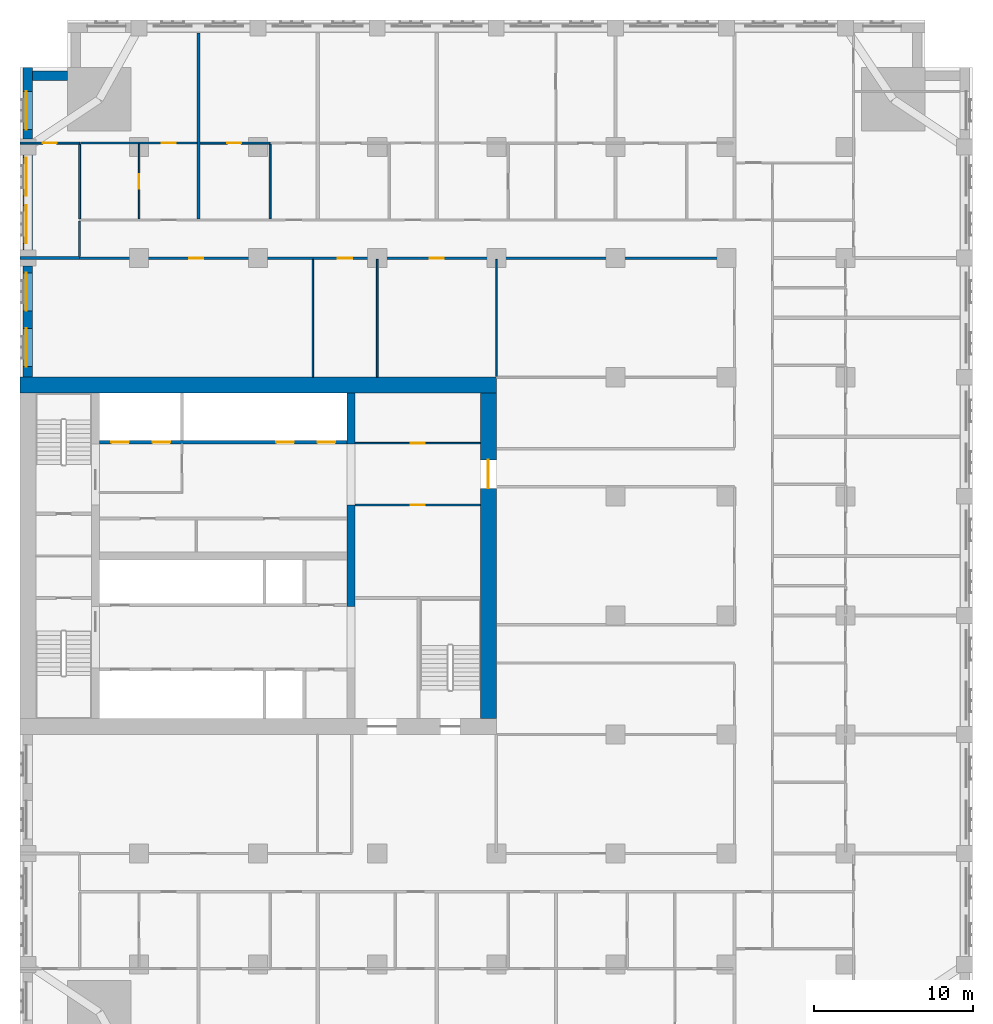
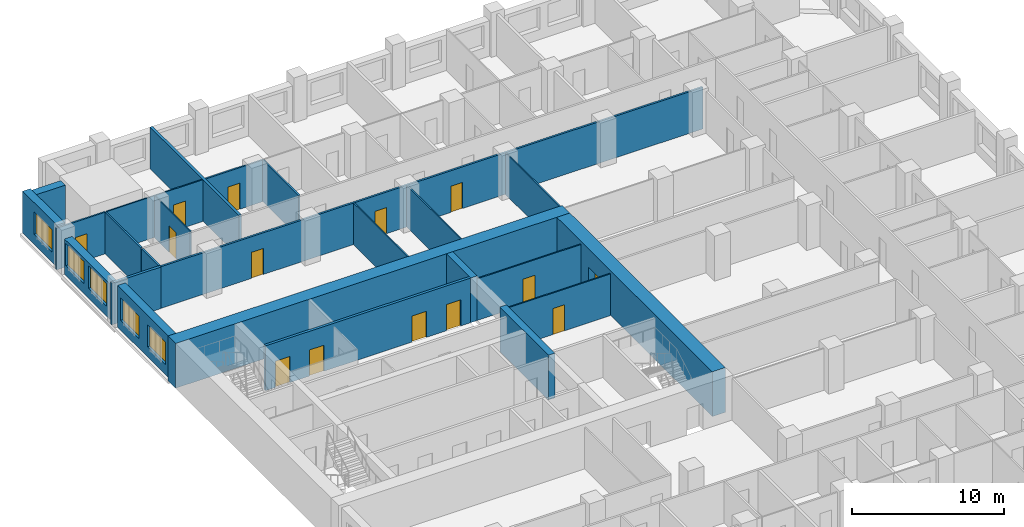
# One storey, part 8 of 14: 24 walls, 14 doors, 5 windows, 19 openings.
"""IFC4 building model written with IfcOpenShell, lengths in metres."""

from ifc_helpers import new_model, si_unit, direction, frame, frame_2d, origin, place, context, subcontext, project, spatial, rectangle, extrude, material, layer, layer_set, type_object, element, fill, save


model = new_model("IFC4")

# Units and contexts
model_context = context("Model", 3, precision=1e-05, world=origin(), true_north=direction((0.0, 1.0)))
body_context = subcontext(model_context, "Body", "Model", "MODEL_VIEW")
ifc_project = project(units=[si_unit("LENGTHUNIT", "METRE"), si_unit("AREAUNIT", "SQUARE_METRE"), si_unit("VOLUMEUNIT", "CUBIC_METRE"), si_unit("PLANEANGLEUNIT", "RADIAN"), si_unit("MASSUNIT", "GRAM", prefix="KILO")], contexts=[model_context])

# Site, building, storey
site_placement = place(None, origin())
site = spatial("IfcSite", under=ifc_project, at=site_placement, CompositionType="ELEMENT")
building_placement = place(site_placement, origin())
building = spatial("IfcBuilding", under=site, at=building_placement, Name="Tamorin Gate", CompositionType="ELEMENT")
storey_placement = place(building_placement, frame((0.0, 0.0, 37.60009765625)))
storey = spatial("IfcBuildingStorey", under=building, at=storey_placement, Name="L07", CompositionType="ELEMENT", Elevation=37.60009765625)

# Wall
ifc_material_1 = material(Name="Precast concrete C40/50", Category="concrete")
ifc_layer_1 = layer(ifc_material_1, 0.60009765625)
ifc_layer_set_1 = layer_set([ifc_layer_1], Name="Precast concrete C40/50")
wall_type_1 = type_object("IfcWallType", Name="Board-marked concrete facade panel 600", PredefinedType="SOLIDWALL", material=ifc_layer_set_1)
wall_1_placement = place(storey_placement, frame((33.0, 101.5, 0.0), z_axis=(0.0, 0.0, 1.0), x_axis=(-1.0, 0.0, 0.0)))
element("IfcWall", 1, at=wall_1_placement, inside=storey, type_object=wall_type_1, Name="Facade panel", PredefinedType="SOLIDWALL", context=body_context, shape_type="SweptSolid", body=[
    extrude(rectangle(XDim=2.199951171875, YDim=0.60009765625, at=frame_2d((1.10009765625, 0.0))), origin(), (0.0, 0.0, 1.0), 3.349853515625),
])

# Wall, opening, window
wall_2_placement = place(storey_placement, frame((30.5, 102.0, 0.0), z_axis=(0.0, 0.0, 1.0), x_axis=(0.0, -1.0, 0.0)))
wall_2 = element("IfcWall", 2, at=wall_2_placement, inside=storey, type_object=wall_type_1, Name="Facade panel", PredefinedType="SOLIDWALL", context=body_context, shape_type="SweptSolid", body=[
    extrude(rectangle(XDim=4.5, YDim=0.60009765625, at=frame_2d((2.25, 0.0))), origin(), (0.0, 0.0, 1.0), 3.349853515625),
])
opening_1_placement = place(wall_2_placement, frame((1.5, 0.0, 0.800048828125)))
opening_1 = element("IfcOpeningElement", 3, at=opening_1_placement, cuts=wall_2, Name="Opening WN1", PredefinedType="OPENING", context=body_context, shape_type="SweptSolid", body=[
    extrude(rectangle(XDim=2.39990234375, YDim=1.800048828125, at=frame_2d((1.199951171875, 0.89990234375))), frame((0.0, 0.31005859375, 0.0), z_axis=(0.0, -1.0, 0.0), x_axis=(1.0, 0.0, 0.0)), (0.0, 0.0, 1.0), 0.6201171875),
])
ifc_material_2 = material(Name="Clear glass in aluminium frame", Category="aluminium")
window_type = type_object("IfcWindowType", Name="Deep-set window 2400x1800", PartitioningType="SINGLE_PANEL", PredefinedType="WINDOW", material=ifc_material_2)
window_1_placement = place(opening_1_placement, origin())
window_1 = element("IfcWindow", 4, at=window_1_placement, inside=storey, type_object=window_type, Name="Deep-set window", OverallHeight=1.800048828125, OverallWidth=2.39990234375, PartitioningType="SINGLE_PANEL", PredefinedType="WINDOW", context=body_context, shape_type="SweptSolid", body=[
    extrude(rectangle(XDim=2.39990234375, YDim=1.800048828125, at=frame_2d((1.199951171875, 0.89990234375))), frame((0.0, -0.070068359375, 0.0), z_axis=(0.0, -1.0, 0.0), x_axis=(1.0, 0.0, 0.0)), (0.0, 0.0, 1.0), 0.06005859375),
])
fill(opening_1, window_1)

# Wall, openings, windows
wall_3_placement = place(storey_placement, frame((30.5, 96.5, 0.0), z_axis=(0.0, 0.0, 1.0), x_axis=(0.0, -1.0, 0.0)))
wall_3 = element("IfcWall", 5, at=wall_3_placement, inside=storey, type_object=wall_type_1, Name="Facade panel", PredefinedType="SOLIDWALL", context=body_context, shape_type="SweptSolid", body=[
    extrude(rectangle(XDim=6.0, YDim=0.60009765625, at=frame_2d((3.0, 0.0))), origin(), (0.0, 0.0, 1.0), 2.849853515625),
])
opening_2_placement = place(wall_3_placement, frame((3.175048828125, 0.0, 0.800048828125)))
opening_2 = element("IfcOpeningElement", 6, at=opening_2_placement, cuts=wall_3, Name="Opening WN1", PredefinedType="OPENING", context=body_context, shape_type="SweptSolid", body=[
    extrude(rectangle(XDim=2.39990234375, YDim=1.800048828125, at=frame_2d((1.199951171875, 0.89990234375))), frame((0.0, 0.31005859375, 0.0), z_axis=(0.0, -1.0, 0.0), x_axis=(1.0, 0.0, 0.0)), (0.0, 0.0, 1.0), 0.6201171875),
])
opening_3_placement = place(wall_3_placement, frame((0.175048828125, 0.0, 0.800048828125)))
opening_3 = element("IfcOpeningElement", 7, at=opening_3_placement, cuts=wall_3, Name="Opening WN1", PredefinedType="OPENING", context=body_context, shape_type="SweptSolid", body=[
    extrude(rectangle(XDim=2.39990234375, YDim=1.800048828125, at=frame_2d((1.199951171875, 0.89990234375))), frame((0.0, 0.31005859375, 0.0), z_axis=(0.0, -1.0, 0.0), x_axis=(1.0, 0.0, 0.0)), (0.0, 0.0, 1.0), 0.6201171875),
])
window_2_placement = place(opening_2_placement, origin())
window_2 = element("IfcWindow", 8, at=window_2_placement, inside=storey, type_object=window_type, Name="Deep-set window", OverallHeight=1.800048828125, OverallWidth=2.39990234375, PartitioningType="SINGLE_PANEL", PredefinedType="WINDOW", context=body_context, shape_type="SweptSolid", body=[
    extrude(rectangle(XDim=2.39990234375, YDim=1.800048828125, at=frame_2d((1.199951171875, 0.89990234375))), frame((0.0, -0.070068359375, 0.0), z_axis=(0.0, -1.0, 0.0), x_axis=(1.0, 0.0, 0.0)), (0.0, 0.0, 1.0), 0.06005859375),
])
fill(opening_2, window_2)
window_3_placement = place(opening_3_placement, origin())
window_3 = element("IfcWindow", 9, at=window_3_placement, inside=storey, type_object=window_type, Name="Deep-set window", OverallHeight=1.800048828125, OverallWidth=2.39990234375, PartitioningType="SINGLE_PANEL", PredefinedType="WINDOW", context=body_context, shape_type="SweptSolid", body=[
    extrude(rectangle(XDim=2.39990234375, YDim=1.800048828125, at=frame_2d((1.199951171875, 0.89990234375))), frame((0.0, -0.070068359375, 0.0), z_axis=(0.0, -1.0, 0.0), x_axis=(1.0, 0.0, 0.0)), (0.0, 0.0, 1.0), 0.06005859375),
])
fill(opening_3, window_3)

wall_4_placement = place(storey_placement, frame((30.5, 89.5, 0.0), z_axis=(0.0, 0.0, 1.0), x_axis=(0.0, -1.0, 0.0)))
wall_4 = element("IfcWall", 10, at=wall_4_placement, inside=storey, type_object=wall_type_1, Name="Facade panel", PredefinedType="SOLIDWALL", context=body_context, shape_type="SweptSolid", body=[
    extrude(rectangle(XDim=7.0, YDim=0.60009765625, at=frame_2d((3.5, 0.0))), origin(), (0.0, 0.0, 1.0), 3.349853515625),
])
opening_4_placement = place(wall_4_placement, frame((3.925048828125, 0.0, 0.800048828125)))
opening_4 = element("IfcOpeningElement", 11, at=opening_4_placement, cuts=wall_4, Name="Opening WN1", PredefinedType="OPENING", context=body_context, shape_type="SweptSolid", body=[
    extrude(rectangle(XDim=2.39990234375, YDim=1.800048828125, at=frame_2d((1.199951171875, 0.89990234375))), frame((0.0, 0.31005859375, 0.0), z_axis=(0.0, -1.0, 0.0), x_axis=(1.0, 0.0, 0.0)), (0.0, 0.0, 1.0), 0.6201171875),
])
opening_5_placement = place(wall_4_placement, frame((0.425048828125, 0.0, 0.800048828125)))
opening_5 = element("IfcOpeningElement", 12, at=opening_5_placement, cuts=wall_4, Name="Opening WN1", PredefinedType="OPENING", context=body_context, shape_type="SweptSolid", body=[
    extrude(rectangle(XDim=2.39990234375, YDim=1.800048828125, at=frame_2d((1.199951171875, 0.89990234375))), frame((0.0, 0.31005859375, 0.0), z_axis=(0.0, -1.0, 0.0), x_axis=(1.0, 0.0, 0.0)), (0.0, 0.0, 1.0), 0.6201171875),
])
window_4_placement = place(opening_4_placement, origin())
window_4 = element("IfcWindow", 13, at=window_4_placement, inside=storey, type_object=window_type, Name="Deep-set window", OverallHeight=1.800048828125, OverallWidth=2.39990234375, PartitioningType="SINGLE_PANEL", PredefinedType="WINDOW", context=body_context, shape_type="SweptSolid", body=[
    extrude(rectangle(XDim=2.39990234375, YDim=1.800048828125, at=frame_2d((1.199951171875, 0.89990234375))), frame((0.0, -0.070068359375, 0.0), z_axis=(0.0, -1.0, 0.0), x_axis=(1.0, 0.0, 0.0)), (0.0, 0.0, 1.0), 0.06005859375),
])
fill(opening_4, window_4)
window_5_placement = place(opening_5_placement, origin())
window_5 = element("IfcWindow", 14, at=window_5_placement, inside=storey, type_object=window_type, Name="Deep-set window", OverallHeight=1.800048828125, OverallWidth=2.39990234375, PartitioningType="SINGLE_PANEL", PredefinedType="WINDOW", context=body_context, shape_type="SweptSolid", body=[
    extrude(rectangle(XDim=2.39990234375, YDim=1.800048828125, at=frame_2d((1.199951171875, 0.89990234375))), frame((0.0, -0.070068359375, 0.0), z_axis=(0.0, -1.0, 0.0), x_axis=(1.0, 0.0, 0.0)), (0.0, 0.0, 1.0), 0.06005859375),
])
fill(opening_5, window_5)

# Wall, openings, doors
ifc_material_3 = material(Name="Gypsum board partition")
ifc_layer_2 = layer(ifc_material_3, 0.14990234375)
ifc_layer_set_2 = layer_set([ifc_layer_2], Name="Corridor wall 150")
wall_type_2 = type_object("IfcWallType", Name="Corridor wall 150", PredefinedType="PARTITIONING", material=ifc_layer_set_2)
wall_5_placement = place(storey_placement, frame((33.75, 90.0, 0.0), z_axis=(0.0, 0.0, 1.0), x_axis=(1.0, 0.0, 0.0)))
wall_5 = element("IfcWall", 15, at=wall_5_placement, inside=storey, type_object=wall_type_2, Name="Corridor wall 150", PredefinedType="PARTITIONING", context=body_context, shape_type="SweptSolid", body=[
    extrude(rectangle(XDim=41.25, YDim=0.14990234375, at=frame_2d((20.625, 0.0))), origin(), (0.0, 0.0, 1.0), 3.349853515625),
])
opening_6_placement = place(wall_5_placement, frame((6.89990234375, 0.0, 0.0)))
opening_6 = element("IfcOpeningElement", 16, at=opening_6_placement, cuts=wall_5, Name="Opening DH2070", PredefinedType="OPENING", context=body_context, shape_type="SweptSolid", body=[
    extrude(rectangle(XDim=0.89990234375, YDim=2.10009765625, at=frame_2d((0.449951171875, 1.050048828125))), frame((0.0, 0.0849609375, 0.0), z_axis=(0.0, -1.0, 0.0), x_axis=(1.0, 0.0, 0.0)), (0.0, 0.0, 1.0), 0.169921875),
])
opening_7_placement = place(wall_5_placement, frame((16.27490234375, 0.0, 0.0)))
opening_7 = element("IfcOpeningElement", 17, at=opening_7_placement, cuts=wall_5, Name="Opening DH2071", PredefinedType="OPENING", context=body_context, shape_type="SweptSolid", body=[
    extrude(rectangle(XDim=0.89990234375, YDim=2.10009765625, at=frame_2d((0.449951171875, 1.050048828125))), frame((0.0, 0.0849609375, 0.0), z_axis=(0.0, -1.0, 0.0), x_axis=(1.0, 0.0, 0.0)), (0.0, 0.0, 1.0), 0.169921875),
])
opening_8_placement = place(wall_5_placement, frame((22.050048828125, 0.0, 0.0)))
opening_8 = element("IfcOpeningElement", 18, at=opening_8_placement, cuts=wall_5, Name="Opening DH2072", PredefinedType="OPENING", context=body_context, shape_type="SweptSolid", body=[
    extrude(rectangle(XDim=0.89990234375, YDim=2.10009765625, at=frame_2d((0.449951171875, 1.050048828125))), frame((0.0, 0.0849609375, 0.0), z_axis=(0.0, -1.0, 0.0), x_axis=(1.0, 0.0, 0.0)), (0.0, 0.0, 1.0), 0.169921875),
])
ifc_material_4 = material(Name="Timber door leaf", Category="wood")
door_type_1 = type_object("IfcDoorType", Name="Door 900 x 2100 FD30S", OperationType="NOTDEFINED", PredefinedType="DOOR", material=ifc_material_4)
door_1_placement = place(opening_6_placement, origin())
door_1 = element("IfcDoor", 19, at=door_1_placement, inside=storey, type_object=door_type_1, Name="Door DH2070", OperationType="SINGLE_SWING_RIGHT", OverallHeight=2.10009765625, OverallWidth=0.89990234375, PredefinedType="DOOR", context=body_context, shape_type="SweptSolid", body=[
    extrude(rectangle(XDim=0.89990234375, YDim=2.10009765625, at=frame_2d((0.449951171875, 1.050048828125))), frame((0.0, 0.02490234375, 0.0), z_axis=(0.0, -1.0, 0.0), x_axis=(1.0, 0.0, 0.0)), (0.0, 0.0, 1.0), 0.050048828125),
])
fill(opening_6, door_1)
door_2_placement = place(opening_7_placement, origin())
door_2 = element("IfcDoor", 20, at=door_2_placement, inside=storey, type_object=door_type_1, Name="Door DH2071", OperationType="SINGLE_SWING_LEFT", OverallHeight=2.10009765625, OverallWidth=0.89990234375, PredefinedType="DOOR", context=body_context, shape_type="SweptSolid", body=[
    extrude(rectangle(XDim=0.89990234375, YDim=2.10009765625, at=frame_2d((0.449951171875, 1.050048828125))), frame((0.0, 0.02490234375, 0.0), z_axis=(0.0, -1.0, 0.0), x_axis=(1.0, 0.0, 0.0)), (0.0, 0.0, 1.0), 0.050048828125),
])
fill(opening_7, door_2)
door_3_placement = place(opening_8_placement, origin())
door_3 = element("IfcDoor", 21, at=door_3_placement, inside=storey, type_object=door_type_1, Name="Door DH2072", OperationType="SINGLE_SWING_RIGHT", OverallHeight=2.10009765625, OverallWidth=0.89990234375, PredefinedType="DOOR", context=body_context, shape_type="SweptSolid", body=[
    extrude(rectangle(XDim=0.89990234375, YDim=2.10009765625, at=frame_2d((0.449951171875, 1.050048828125))), frame((0.0, 0.02490234375, 0.0), z_axis=(0.0, -1.0, 0.0), x_axis=(1.0, 0.0, 0.0)), (0.0, 0.0, 1.0), 0.050048828125),
])
fill(opening_8, door_3)

# Walls
wall_6_placement = place(storey_placement, frame((33.75, 90.10009765625, 0.0), z_axis=(0.0, 0.0, 1.0), x_axis=(0.0, 1.0, 0.0)))
element("IfcWall", 22, at=wall_6_placement, inside=storey, type_object=wall_type_2, Name="Corridor wall 150", PredefinedType="PARTITIONING", context=body_context, shape_type="SweptSolid", body=[
    extrude(rectangle(XDim=2.224853515625, YDim=0.14990234375, at=frame_2d((1.1123046875, 0.0))), origin(), (0.0, 0.0, 1.0), 3.349853515625),
])
ifc_layer_3 = layer(ifc_material_3, 0.199951171875)
ifc_layer_set_3 = layer_set([ifc_layer_3], Name="Demising wall 200")
wall_type_3 = type_object("IfcWallType", Name="Demising wall 200", PredefinedType="PARTITIONING", material=ifc_layer_set_3)
wall_7_placement = place(storey_placement, frame((30.0, 90.0, 0.0), z_axis=(0.0, 0.0, 1.0), x_axis=(1.0, 0.0, 0.0)))
element("IfcWall", 23, at=wall_7_placement, inside=storey, type_object=wall_type_3, Name="Demising wall 200", PredefinedType="PARTITIONING", context=body_context, shape_type="SweptSolid", body=[
    extrude(rectangle(XDim=3.75, YDim=0.199951171875, at=frame_2d((1.875, 0.0))), origin(), (0.0, 0.0, 1.0), 3.349853515625),
])
wall_8_placement = place(storey_placement, frame((41.25, 92.47509765625, 0.0), z_axis=(0.0, 0.0, 1.0), x_axis=(0.0, 1.0, 0.0)))
element("IfcWall", 24, at=wall_8_placement, inside=storey, type_object=wall_type_3, Name="Demising wall 200", PredefinedType="PARTITIONING", context=body_context, shape_type="SweptSolid", body=[
    extrude(rectangle(XDim=11.71484375, YDim=0.199951171875, at=frame_2d((5.857421875, 0.0))), origin(), (0.0, 0.0, 1.0), 3.349853515625),
])

# Wall, openings, doors
ifc_material_5 = material(Name="Concrete C32/40", Category="concrete")
ifc_layer_4 = layer(ifc_material_5, 0.199951171875)
ifc_layer_set_4 = layer_set([ifc_layer_4], Name="Lift lobby face wall 200 EI 120")
wall_type_4 = type_object("IfcWallType", Name="Lift lobby face wall 200 EI 120", PredefinedType="SOLIDWALL", material=ifc_layer_set_4)
wall_9_placement = place(storey_placement, frame((35.0, 78.39990234375, 0.0), z_axis=(0.0, 0.0, 1.0), x_axis=(1.0, 0.0, 0.0)))
wall_9 = element("IfcWall", 25, at=wall_9_placement, inside=storey, type_object=wall_type_4, Name="Lift lobby face wall", PredefinedType="SOLIDWALL", context=body_context, shape_type="SweptSolid", body=[
    extrude(rectangle(XDim=15.60009765625, YDim=0.199951171875, at=frame_2d((7.800048828125, 0.0))), origin(), (0.0, 0.0, 1.0), 3.599853515625),
])
opening_9_placement = place(wall_9_placement, frame((0.75, 0.0, 0.0)))
opening_9 = element("IfcOpeningElement", 26, at=opening_9_placement, cuts=wall_9, Name="Opening LD17", PredefinedType="OPENING", context=body_context, shape_type="SweptSolid", body=[
    extrude(rectangle(XDim=1.10009765625, YDim=2.10009765625, at=frame_2d((0.550048828125, 1.050048828125))), frame((0.0, 0.10986328125, 0.0), z_axis=(0.0, -1.0, 0.0), x_axis=(1.0, 0.0, 0.0)), (0.0, 0.0, 1.0), 0.219970703125),
])
opening_10_placement = place(wall_9_placement, frame((3.35009765625, 0.0, 0.0)))
opening_10 = element("IfcOpeningElement", 27, at=opening_10_placement, cuts=wall_9, Name="Opening LD18", PredefinedType="OPENING", context=body_context, shape_type="SweptSolid", body=[
    extrude(rectangle(XDim=1.10009765625, YDim=2.10009765625, at=frame_2d((0.550048828125, 1.050048828125))), frame((0.0, 0.10986328125, 0.0), z_axis=(0.0, -1.0, 0.0), x_axis=(1.0, 0.0, 0.0)), (0.0, 0.0, 1.0), 0.219970703125),
])
opening_11_placement = place(wall_9_placement, frame((11.14990234375, 0.0, 0.0)))
opening_11 = element("IfcOpeningElement", 28, at=opening_11_placement, cuts=wall_9, Name="Opening LD21", PredefinedType="OPENING", context=body_context, shape_type="SweptSolid", body=[
    extrude(rectangle(XDim=1.10009765625, YDim=2.10009765625, at=frame_2d((0.550048828125, 1.050048828125))), frame((0.0, 0.10986328125, 0.0), z_axis=(0.0, -1.0, 0.0), x_axis=(1.0, 0.0, 0.0)), (0.0, 0.0, 1.0), 0.219970703125),
])
opening_12_placement = place(wall_9_placement, frame((13.75, 0.0, 0.0)))
opening_12 = element("IfcOpeningElement", 29, at=opening_12_placement, cuts=wall_9, Name="Opening LD22", PredefinedType="OPENING", context=body_context, shape_type="SweptSolid", body=[
    extrude(rectangle(XDim=1.10009765625, YDim=2.10009765625, at=frame_2d((0.550048828125, 1.050048828125))), frame((0.0, 0.10986328125, 0.0), z_axis=(0.0, -1.0, 0.0), x_axis=(1.0, 0.0, 0.0)), (0.0, 0.0, 1.0), 0.219970703125),
])
ifc_material_6 = material(Name="Stainless steel sliding door", Category="steel")
door_type_2 = type_object("IfcDoorType", Name="Lift landing door 1100 x 2100 E 90", OperationType="DOUBLE_DOOR_SLIDING", PredefinedType="DOOR", material=ifc_material_6)
door_4_placement = place(opening_9_placement, origin())
door_4 = element("IfcDoor", 30, at=door_4_placement, inside=storey, type_object=door_type_2, Name="FF1 landing door", OperationType="DOUBLE_DOOR_SLIDING", OverallHeight=2.10009765625, OverallWidth=1.10009765625, PredefinedType="DOOR", context=body_context, shape_type="SweptSolid", body=[
    extrude(rectangle(XDim=1.10009765625, YDim=2.10009765625, at=frame_2d((0.550048828125, 1.050048828125))), frame((0.0, 0.02490234375, 0.0), z_axis=(0.0, -1.0, 0.0), x_axis=(1.0, 0.0, 0.0)), (0.0, 0.0, 1.0), 0.050048828125),
])
fill(opening_9, door_4)
door_5_placement = place(opening_10_placement, origin())
door_5 = element("IfcDoor", 31, at=door_5_placement, inside=storey, type_object=door_type_2, Name="FF2 landing door", OperationType="DOUBLE_DOOR_SLIDING", OverallHeight=2.10009765625, OverallWidth=1.10009765625, PredefinedType="DOOR", context=body_context, shape_type="SweptSolid", body=[
    extrude(rectangle(XDim=1.10009765625, YDim=2.10009765625, at=frame_2d((0.550048828125, 1.050048828125))), frame((0.0, 0.02490234375, 0.0), z_axis=(0.0, -1.0, 0.0), x_axis=(1.0, 0.0, 0.0)), (0.0, 0.0, 1.0), 0.050048828125),
])
fill(opening_10, door_5)
door_6_placement = place(opening_11_placement, origin())
door_6 = element("IfcDoor", 32, at=door_6_placement, inside=storey, type_object=door_type_2, Name="SV1 landing door", OperationType="DOUBLE_DOOR_SLIDING", OverallHeight=2.10009765625, OverallWidth=1.10009765625, PredefinedType="DOOR", context=body_context, shape_type="SweptSolid", body=[
    extrude(rectangle(XDim=1.10009765625, YDim=2.10009765625, at=frame_2d((0.550048828125, 1.050048828125))), frame((0.0, 0.02490234375, 0.0), z_axis=(0.0, -1.0, 0.0), x_axis=(1.0, 0.0, 0.0)), (0.0, 0.0, 1.0), 0.050048828125),
])
fill(opening_11, door_6)
door_7_placement = place(opening_12_placement, origin())
door_7 = element("IfcDoor", 33, at=door_7_placement, inside=storey, type_object=door_type_2, Name="SV2 landing door", OperationType="DOUBLE_DOOR_SLIDING", OverallHeight=2.10009765625, OverallWidth=1.10009765625, PredefinedType="DOOR", context=body_context, shape_type="SweptSolid", body=[
    extrude(rectangle(XDim=1.10009765625, YDim=2.10009765625, at=frame_2d((0.550048828125, 1.050048828125))), frame((0.0, 0.02490234375, 0.0), z_axis=(0.0, -1.0, 0.0), x_axis=(1.0, 0.0, 0.0)), (0.0, 0.0, 1.0), 0.050048828125),
])
fill(opening_12, door_7)

# Walls
ifc_material_7 = material(Name="Concrete C80/95", Category="concrete")
ifc_layer_5 = layer(ifc_material_7, 0.5)
ifc_layer_set_5 = layer_set([ifc_layer_5], Name="RC core internal wall 500 C80/95")
wall_type_5 = type_object("IfcWallType", Name="RC core internal wall 500 C80/95", PredefinedType="SHEAR", material=ifc_layer_set_5)
wall_10_placement = place(storey_placement, frame((50.85009765625, 68.050048828125, 0.0), z_axis=(0.0, 0.0, 1.0), x_axis=(0.0, 1.0, 0.0)))
element("IfcWall", 34, at=wall_10_placement, inside=storey, type_object=wall_type_5, Name="Core cross wall L07", PredefinedType="SHEAR", context=body_context, shape_type="SweptSolid", body=[
    extrude(rectangle(XDim=6.39990234375, YDim=0.5, at=frame_2d((3.199951171875, 0.0))), origin(), (0.0, 0.0, 1.0), 3.599853515625),
])
wall_11_placement = place(storey_placement, frame((50.85009765625, 78.300048828125, 0.0), z_axis=(0.0, 0.0, 1.0), x_axis=(0.0, 1.0, 0.0)))
element("IfcWall", 35, at=wall_11_placement, inside=storey, type_object=wall_type_5, Name="Core cross wall L07", PredefinedType="SHEAR", context=body_context, shape_type="SweptSolid", body=[
    extrude(rectangle(XDim=3.199951171875, YDim=0.5, at=frame_2d((1.60009765625, 0.0))), origin(), (0.0, 0.0, 1.0), 3.599853515625),
])
ifc_layer_6 = layer(ifc_material_7, 1.0)
ifc_layer_set_6 = layer_set([ifc_layer_6], Name="RC core wall 1000 C80/95")
wall_type_6 = type_object("IfcWallType", Name="RC core wall 1000 C80/95", PredefinedType="SHEAR", material=ifc_layer_set_6)
wall_12_placement = place(storey_placement, frame((30.0, 82.0, 0.0), z_axis=(0.0, 0.0, 1.0), x_axis=(1.0, 0.0, 0.0)))
element("IfcWall", 36, at=wall_12_placement, inside=storey, type_object=wall_type_6, Name="Core wall L07", PredefinedType="SHEAR", context=body_context, shape_type="SweptSolid", body=[
    extrude(rectangle(XDim=30.0, YDim=1.0, at=frame_2d((15.0, 0.0))), origin(), (0.0, 0.0, 1.0), 3.599853515625),
])

# Wall, opening, door
wall_13_placement = place(storey_placement, frame((59.5, 61.0, 0.0), z_axis=(0.0, 0.0, 1.0), x_axis=(0.0, 1.0, 0.0)))
wall_13 = element("IfcWall", 37, at=wall_13_placement, inside=storey, type_object=wall_type_6, Name="Core wall L07", PredefinedType="SHEAR", context=body_context, shape_type="SweptSolid", body=[
    extrude(rectangle(XDim=20.5, YDim=1.0, at=frame_2d((10.25, 0.0))), origin(), (0.0, 0.0, 1.0), 3.599853515625),
])
opening_13_placement = place(wall_13_placement, frame((14.5, 0.0, 0.0)))
opening_13 = element("IfcOpeningElement", 38, at=opening_13_placement, cuts=wall_13, Name="Opening DE1", PredefinedType="OPENING", context=body_context, shape_type="SweptSolid", body=[
    extrude(rectangle(XDim=1.800048828125, YDim=2.10009765625, at=frame_2d((0.89990234375, 1.050048828125))), frame((0.0, 0.510009765625, 0.0), z_axis=(0.0, -1.0, 0.0), x_axis=(1.0, 0.0, 0.0)), (0.0, 0.0, 1.0), 1.02001953125),
])
ifc_material_8 = material(Name="Steel fire door", Category="steel")
door_type_3 = type_object("IfcDoorType", Name="Lobby exit double door 1800 x 2100 EI 60", OperationType="DOUBLE_DOOR_SINGLE_SWING", PredefinedType="DOOR", material=ifc_material_8)
door_8_placement = place(opening_13_placement, origin())
door_8 = element("IfcDoor", 39, at=door_8_placement, inside=storey, type_object=door_type_3, Name="Lift lobby B exit door", OperationType="DOUBLE_DOOR_SINGLE_SWING", OverallHeight=2.10009765625, OverallWidth=1.800048828125, PredefinedType="DOOR", context=body_context, shape_type="SweptSolid", body=[
    extrude(rectangle(XDim=1.800048828125, YDim=2.10009765625, at=frame_2d((0.89990234375, 1.050048828125))), frame((0.0, 0.02490234375, 0.0), z_axis=(0.0, -1.0, 0.0), x_axis=(1.0, 0.0, 0.0)), (0.0, 0.0, 1.0), 0.050048828125),
])
fill(opening_13, door_8)

ifc_layer_7 = layer(ifc_material_3, 0.10009765625)
ifc_layer_set_7 = layer_set([ifc_layer_7], Name="Room partition 100")
wall_type_7 = type_object("IfcWallType", Name="Room partition 100", PredefinedType="PARTITIONING", material=ifc_layer_set_7)
wall_14_placement = place(storey_placement, frame((33.8125, 97.25, 0.0), z_axis=(0.0, 0.0, 1.0), x_axis=(1.0, 0.0, 0.0)))
wall_14 = element("IfcWall", 40, at=wall_14_placement, inside=storey, type_object=wall_type_7, Name="Room partition 100", PredefinedType="PARTITIONING", context=body_context, shape_type="SweptSolid", body=[
    extrude(rectangle(XDim=7.33740234375, YDim=0.10009765625, at=frame_2d((3.668701171875, 0.0))), origin(), (0.0, 0.0, 1.0), 3.349853515625),
])
opening_14_placement = place(wall_14_placement, frame((5.112548828125, 0.0, 0.0)))
opening_14 = element("IfcOpeningElement", 41, at=opening_14_placement, cuts=wall_14, Name="Opening DH2022", PredefinedType="OPENING", context=body_context, shape_type="SweptSolid", body=[
    extrude(rectangle(XDim=0.89990234375, YDim=2.10009765625, at=frame_2d((0.449951171875, 1.050048828125))), frame((0.0, 0.06005859375, 0.0), z_axis=(0.0, -1.0, 0.0), x_axis=(1.0, 0.0, 0.0)), (0.0, 0.0, 1.0), 0.1201171875),
])
door_type_4 = type_object("IfcDoorType", Name="Door 900 x 2100", OperationType="NOTDEFINED", PredefinedType="DOOR", material=ifc_material_4)
door_9_placement = place(opening_14_placement, origin())
door_9 = element("IfcDoor", 42, at=door_9_placement, inside=storey, type_object=door_type_4, Name="Door DH2022", OperationType="SINGLE_SWING_RIGHT", OverallHeight=2.10009765625, OverallWidth=0.89990234375, PredefinedType="DOOR", context=body_context, shape_type="SweptSolid", body=[
    extrude(rectangle(XDim=0.89990234375, YDim=2.10009765625, at=frame_2d((0.449951171875, 1.050048828125))), frame((0.0, 0.02490234375, 0.0), z_axis=(0.0, -1.0, 0.0), x_axis=(1.0, 0.0, 0.0)), (0.0, 0.0, 1.0), 0.050048828125),
])
fill(opening_14, door_9)

wall_15_placement = place(storey_placement, frame((37.5, 92.47509765625, 0.0), z_axis=(0.0, 0.0, 1.0), x_axis=(0.0, 1.0, 0.0)))
wall_15 = element("IfcWall", 43, at=wall_15_placement, inside=storey, type_object=wall_type_7, Name="Room partition 100", PredefinedType="PARTITIONING", context=body_context, shape_type="SweptSolid", body=[
    extrude(rectangle(XDim=4.724853515625, YDim=0.10009765625, at=frame_2d((2.3623046875, 0.0))), origin(), (0.0, 0.0, 1.0), 3.349853515625),
])
opening_15_placement = place(wall_15_placement, frame((1.89990234375, 0.0, 0.0)))
opening_15 = element("IfcOpeningElement", 44, at=opening_15_placement, cuts=wall_15, Name="Opening DH2020", PredefinedType="OPENING", context=body_context, shape_type="SweptSolid", body=[
    extrude(rectangle(XDim=0.89990234375, YDim=2.10009765625, at=frame_2d((0.449951171875, 1.050048828125))), frame((0.0, 0.06005859375, 0.0), z_axis=(0.0, -1.0, 0.0), x_axis=(1.0, 0.0, 0.0)), (0.0, 0.0, 1.0), 0.1201171875),
])
door_10_placement = place(opening_15_placement, origin())
door_10 = element("IfcDoor", 45, at=door_10_placement, inside=storey, type_object=door_type_4, Name="Door DH2020", OperationType="SINGLE_SWING_RIGHT", OverallHeight=2.10009765625, OverallWidth=0.89990234375, PredefinedType="DOOR", context=body_context, shape_type="SweptSolid", body=[
    extrude(rectangle(XDim=0.89990234375, YDim=2.10009765625, at=frame_2d((0.449951171875, 1.050048828125))), frame((0.0, 0.02490234375, 0.0), z_axis=(0.0, -1.0, 0.0), x_axis=(1.0, 0.0, 0.0)), (0.0, 0.0, 1.0), 0.050048828125),
])
fill(opening_15, door_10)

# Walls
for number, where, z_axis, x_axis, name in (
    (46, (48.449951171875, 82.5, 0.0), (0.0, 0.0, 1.0), (0.0, 1.0, 0.0), "Room partition 100"),
    (47, (52.5, 82.5, 0.0), (0.0, 0.0, 1.0), (0.0, 1.0, 0.0), "Room partition 100"),
):
    element("IfcWall", number, at=place(storey_placement, frame(where, z_axis=z_axis, x_axis=x_axis)), inside=storey, type_object=wall_type_7, Name=name, PredefinedType="PARTITIONING", context=body_context, shape_type="SweptSolid", body=[
        extrude(rectangle(XDim=7.425048828125, YDim=0.10009765625, at=frame_2d((3.71240234375, 0.0))), origin(), (0.0, 0.0, 1.0), 3.349853515625),
    ])
wall_16_placement = place(storey_placement, frame((60.0, 82.550048828125, 0.0), z_axis=(0.0, 0.0, 1.0), x_axis=(0.0, 1.0, 0.0)))
element("IfcWall", 48, at=wall_16_placement, inside=storey, type_object=wall_type_7, Name="Room partition 100", PredefinedType="PARTITIONING", context=body_context, shape_type="SweptSolid", body=[
    extrude(rectangle(XDim=7.375, YDim=0.10009765625, at=frame_2d((3.6875, 0.0))), origin(), (0.0, 0.0, 1.0), 3.349853515625),
])

# Wall, opening, door
ifc_layer_8 = layer(ifc_material_3, 0.10009765625)
ifc_layer_set_8 = layer_set([ifc_layer_8], Name="Service room partition 100 EI 60")
wall_type_8 = type_object("IfcWallType", Name="Service room partition 100 EI 60", PredefinedType="PARTITIONING", material=ifc_layer_set_8)
wall_17_placement = place(storey_placement, frame((51.10009765625, 74.449951171875, 0.0), z_axis=(0.0, 0.0, 1.0), x_axis=(1.0, 0.0, 0.0)))
wall_17 = element("IfcWall", 49, at=wall_17_placement, inside=storey, type_object=wall_type_8, Name="Service room wall", PredefinedType="PARTITIONING", context=body_context, shape_type="SweptSolid", body=[
    extrude(rectangle(XDim=7.89990234375, YDim=0.10009765625, at=frame_2d((3.949951171875, 0.0))), origin(), (0.0, 0.0, 1.0), 3.349853515625),
])
opening_16_placement = place(wall_17_placement, frame((3.5, 0.0, 0.0)))
opening_16 = element("IfcOpeningElement", 50, at=opening_16_placement, cuts=wall_17, Name="Opening DR1", PredefinedType="OPENING", context=body_context, shape_type="SweptSolid", body=[
    extrude(rectangle(XDim=0.89990234375, YDim=2.10009765625, at=frame_2d((0.449951171875, 1.050048828125))), frame((0.0, 0.06005859375, 0.0), z_axis=(0.0, -1.0, 0.0), x_axis=(1.0, 0.0, 0.0)), (0.0, 0.0, 1.0), 0.1201171875),
])
door_type_5 = type_object("IfcDoorType", Name="Riser access door 900 x 2100 EI 120", OperationType="SINGLE_SWING_LEFT", PredefinedType="DOOR", material=ifc_material_8)
door_11_placement = place(opening_16_placement, origin())
door_11 = element("IfcDoor", 51, at=door_11_placement, inside=storey, type_object=door_type_5, Name="Duct riser door", OperationType="SINGLE_SWING_LEFT", OverallHeight=2.10009765625, OverallWidth=0.89990234375, PredefinedType="DOOR", context=body_context, shape_type="SweptSolid", body=[
    extrude(rectangle(XDim=0.89990234375, YDim=2.10009765625, at=frame_2d((0.449951171875, 1.050048828125))), frame((0.0, 0.02490234375, 0.0), z_axis=(0.0, -1.0, 0.0), x_axis=(1.0, 0.0, 0.0)), (0.0, 0.0, 1.0), 0.050048828125),
])
fill(opening_16, door_11)

wall_18_placement = place(storey_placement, frame((51.10009765625, 78.35009765625, 0.0), z_axis=(0.0, 0.0, 1.0), x_axis=(1.0, 0.0, 0.0)))
wall_18 = element("IfcWall", 52, at=wall_18_placement, inside=storey, type_object=wall_type_8, Name="Service room wall", PredefinedType="PARTITIONING", context=body_context, shape_type="SweptSolid", body=[
    extrude(rectangle(XDim=7.89990234375, YDim=0.10009765625, at=frame_2d((3.949951171875, 0.0))), origin(), (0.0, 0.0, 1.0), 3.349853515625),
])
opening_17_placement = place(wall_18_placement, frame((3.5, 0.0, 0.0)))
opening_17 = element("IfcOpeningElement", 53, at=opening_17_placement, cuts=wall_18, Name="Opening DK1", PredefinedType="OPENING", context=body_context, shape_type="SweptSolid", body=[
    extrude(rectangle(XDim=0.89990234375, YDim=2.10009765625, at=frame_2d((0.449951171875, 1.050048828125))), frame((0.0, 0.06005859375, 0.0), z_axis=(0.0, -1.0, 0.0), x_axis=(1.0, 0.0, 0.0)), (0.0, 0.0, 1.0), 0.1201171875),
])
ifc_material_9 = material(Name="Timber fire door", Category="wood")
door_type_6 = type_object("IfcDoorType", Name="Service room door 900 x 2100 EI 60", OperationType="SINGLE_SWING_LEFT", PredefinedType="DOOR", material=ifc_material_9)
door_12_placement = place(opening_17_placement, origin())
door_12 = element("IfcDoor", 54, at=door_12_placement, inside=storey, type_object=door_type_6, Name="Door Store", OperationType="SINGLE_SWING_LEFT", OverallHeight=2.10009765625, OverallWidth=0.89990234375, PredefinedType="DOOR", context=body_context, shape_type="SweptSolid", body=[
    extrude(rectangle(XDim=0.89990234375, YDim=2.10009765625, at=frame_2d((0.449951171875, 1.050048828125))), frame((0.0, 0.02490234375, 0.0), z_axis=(0.0, -1.0, 0.0), x_axis=(1.0, 0.0, 0.0)), (0.0, 0.0, 1.0), 0.050048828125),
])
fill(opening_17, door_12)

ifc_layer_9 = layer(ifc_material_3, 0.125)
ifc_layer_set_9 = layer_set([ifc_layer_9], Name="Wet wall 125")
wall_type_9 = type_object("IfcWallType", Name="Wet wall 125", PredefinedType="PARTITIONING", material=ifc_layer_set_9)
wall_19_placement = place(storey_placement, frame((30.0, 97.25, 0.0), z_axis=(0.0, 0.0, 1.0), x_axis=(1.0, 0.0, 0.0)))
wall_19 = element("IfcWall", 55, at=wall_19_placement, inside=storey, type_object=wall_type_9, Name="Wet wall 125", PredefinedType="PARTITIONING", context=body_context, shape_type="SweptSolid", body=[
    extrude(rectangle(XDim=3.75, YDim=0.125, at=frame_2d((1.875, 0.0))), origin(), (0.0, 0.0, 1.0), 3.349853515625),
])
opening_18_placement = place(wall_19_placement, frame((1.425048828125, 0.0, 0.0)))
opening_18 = element("IfcOpeningElement", 56, at=opening_18_placement, cuts=wall_19, Name="Opening DH2019", PredefinedType="OPENING", context=body_context, shape_type="SweptSolid", body=[
    extrude(rectangle(XDim=0.89990234375, YDim=2.10009765625, at=frame_2d((0.449951171875, 1.050048828125))), frame((0.0, 0.072509765625, 0.0), z_axis=(0.0, -1.0, 0.0), x_axis=(1.0, 0.0, 0.0)), (0.0, 0.0, 1.0), 0.14501953125),
])
door_13_placement = place(opening_18_placement, origin())
door_13 = element("IfcDoor", 57, at=door_13_placement, inside=storey, type_object=door_type_4, Name="Door DH2019", OperationType="SINGLE_SWING_RIGHT", OverallHeight=2.10009765625, OverallWidth=0.89990234375, PredefinedType="DOOR", context=body_context, shape_type="SweptSolid", body=[
    extrude(rectangle(XDim=0.89990234375, YDim=2.10009765625, at=frame_2d((0.449951171875, 1.050048828125))), frame((0.0, 0.02490234375, 0.0), z_axis=(0.0, -1.0, 0.0), x_axis=(1.0, 0.0, 0.0)), (0.0, 0.0, 1.0), 0.050048828125),
])
fill(opening_18, door_13)

wall_20_placement = place(storey_placement, frame((41.35009765625, 97.25, 0.0), z_axis=(0.0, 0.0, 1.0), x_axis=(1.0, 0.0, 0.0)))
wall_20 = element("IfcWall", 58, at=wall_20_placement, inside=storey, type_object=wall_type_9, Name="Wet wall 125", PredefinedType="PARTITIONING", context=body_context, shape_type="SweptSolid", body=[
    extrude(rectangle(XDim=4.39990234375, YDim=0.125, at=frame_2d((2.199951171875, 0.0))), origin(), (0.0, 0.0, 1.0), 3.349853515625),
])
opening_19_placement = place(wall_20_placement, frame((1.699951171875, 0.0, 0.0)))
opening_19 = element("IfcOpeningElement", 59, at=opening_19_placement, cuts=wall_20, Name="Opening DH2023", PredefinedType="OPENING", context=body_context, shape_type="SweptSolid", body=[
    extrude(rectangle(XDim=0.89990234375, YDim=2.10009765625, at=frame_2d((0.449951171875, 1.050048828125))), frame((0.0, 0.072509765625, 0.0), z_axis=(0.0, -1.0, 0.0), x_axis=(1.0, 0.0, 0.0)), (0.0, 0.0, 1.0), 0.14501953125),
])
door_14_placement = place(opening_19_placement, origin())
door_14 = element("IfcDoor", 60, at=door_14_placement, inside=storey, type_object=door_type_4, Name="Door DH2023", OperationType="SINGLE_SWING_RIGHT", OverallHeight=2.10009765625, OverallWidth=0.89990234375, PredefinedType="DOOR", context=body_context, shape_type="SweptSolid", body=[
    extrude(rectangle(XDim=0.89990234375, YDim=2.10009765625, at=frame_2d((0.449951171875, 1.050048828125))), frame((0.0, 0.02490234375, 0.0), z_axis=(0.0, -1.0, 0.0), x_axis=(1.0, 0.0, 0.0)), (0.0, 0.0, 1.0), 0.050048828125),
])
fill(opening_19, door_14)

# Walls
for number, where, z_axis, x_axis, name in (
    (61, (33.75, 92.47509765625, 0.0), (0.0, 0.0, 1.0), (0.0, 1.0, 0.0), "Wet wall 125"),
    (62, (45.75, 92.47509765625, 0.0), (0.0, 0.0, 1.0), (0.0, 1.0, 0.0), "Wet wall 125"),
):
    element("IfcWall", number, at=place(storey_placement, frame(where, z_axis=z_axis, x_axis=x_axis)), inside=storey, type_object=wall_type_9, Name=name, PredefinedType="PARTITIONING", context=body_context, shape_type="SweptSolid", body=[
        extrude(rectangle(XDim=4.71240234375, YDim=0.125, at=frame_2d((2.356201171875, 0.0))), origin(), (0.0, 0.0, 1.0), 3.349853515625),
    ])

save(model, "model.ifc")
